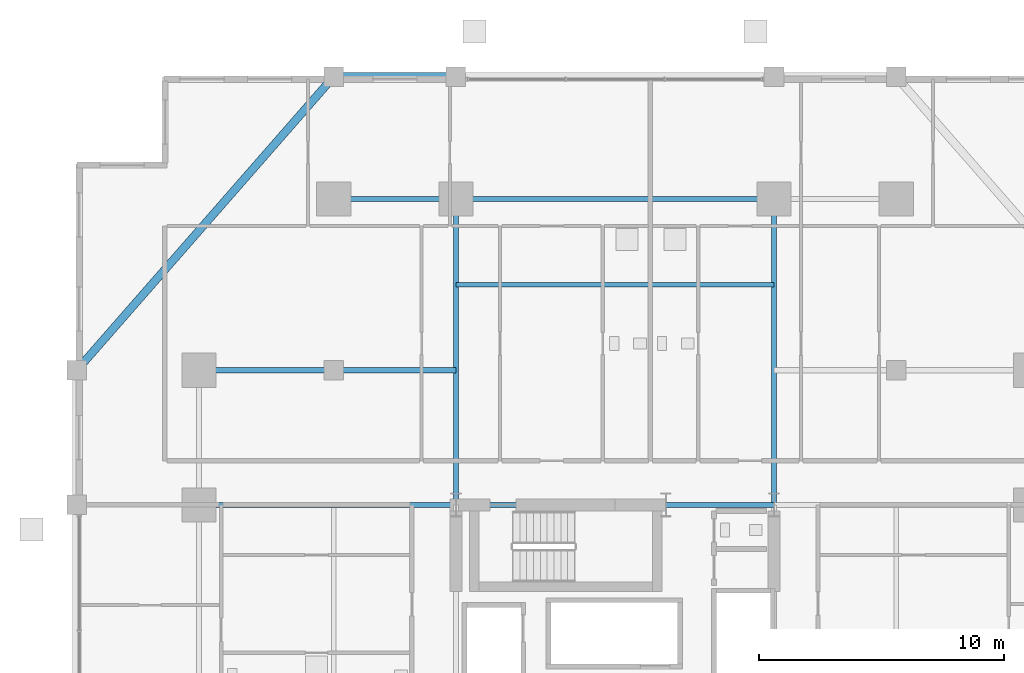
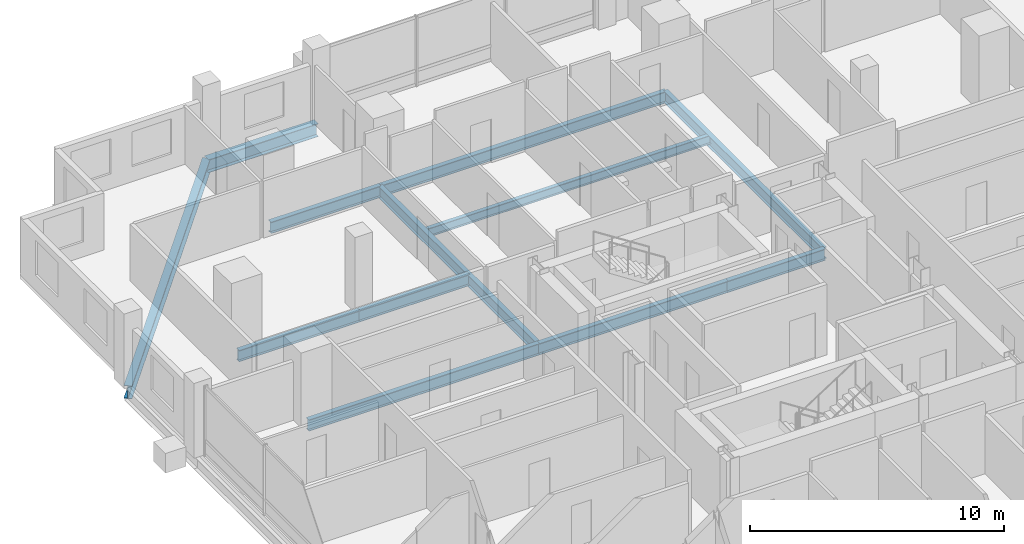
# One storey, part 12 of 24: 12 beams.
"""IFC4 building model written with IfcOpenShell, lengths in metres."""

from ifc_helpers import new_model, si_unit, direction, frame, origin, origin_2d, place, context, subcontext, project, spatial, i_section, extrude, material, material_profile, profile_set, type_object, element, save


model = new_model("IFC4")

# Units and contexts
model_context = context("Model", 3, precision=1e-05, world=origin(), true_north=direction((0.0, 1.0)))
body_context = subcontext(model_context, "Body", "Model", "MODEL_VIEW")
ifc_project = project(units=[si_unit("LENGTHUNIT", "METRE"), si_unit("AREAUNIT", "SQUARE_METRE"), si_unit("VOLUMEUNIT", "CUBIC_METRE"), si_unit("PLANEANGLEUNIT", "RADIAN"), si_unit("MASSUNIT", "GRAM", prefix="KILO")], contexts=[model_context])

# Site, building, storey
site_placement = place(None, origin())
site = spatial("IfcSite", under=ifc_project, at=site_placement, CompositionType="ELEMENT")
building_placement = place(site_placement, origin())
building = spatial("IfcBuilding", under=site, at=building_placement, Name="Barlavira Tower and Art Museum", CompositionType="ELEMENT")
storey_placement = place(building_placement, frame((0.0, 0.0, 32.39990234375)))
storey = spatial("IfcBuildingStorey", under=building, at=storey_placement, Name="L06", CompositionType="ELEMENT", Elevation=32.39990234375)

# Beams
ifc_material = material(Name="Steel S355", Category="steel")
ifc_material_profile_1 = material_profile(ifc_material, i_section(OverallWidth=0.327880859375, OverallDepth=0.62890625, WebThickness=0.013916015625, FlangeThickness=0.021484375, at=origin_2d()), Name="W610x174.0")
ifc_profile_set_1 = profile_set([ifc_material_profile_1], Name="Steel S355")
beam_type_1 = type_object("IfcBeamType", Name="Perimeter Spandrel Edge Beam W610x174 Steel S355", PredefinedType="SPANDREL", material=ifc_profile_set_1)
beam_1_placement = place(storey_placement, frame((-11.5, 25.0, -0.534423828125), z_axis=(1.0, 0.0, 0.0), x_axis=(0.0, 1.0, 0.0)))
element("IfcBeam", 1, at=beam_1_placement, inside=storey, type_object=beam_type_1, Name="L06 Spandrel 11", PredefinedType="SPANDREL", context=body_context, shape_type="SweptSolid", body=[
    extrude(i_section(OverallWidth=0.327880859375, OverallDepth=0.62890625, WebThickness=0.013916015625, FlangeThickness=0.021484375, at=origin_2d()), origin(), (0.0, 0.0, 1.0), 5.0),
])
beam_2_placement = place(storey_placement, frame((-11.5, 25.0, -0.534423828125), z_axis=(-0.658504607869, -0.752576694707, 0.0), x_axis=(0.752576694707, -0.658504607869, 0.0)))
element("IfcBeam", 2, at=beam_2_placement, inside=storey, type_object=beam_type_1, Name="L06 Spandrel 12", PredefinedType="SPANDREL", context=body_context, shape_type="SweptSolid", body=[
    extrude(i_section(OverallWidth=0.327880859375, OverallDepth=0.62890625, WebThickness=0.013916015625, FlangeThickness=0.021484375, at=origin_2d()), origin(), (0.0, 0.0, 1.0), 15.9453125),
])
ifc_material_profile_2 = material_profile(ifc_material, i_section(OverallWidth=0.180908203125, OverallDepth=0.4169921875, WebThickness=0.010986328125, FlangeThickness=0.018310546875, at=origin_2d()), Name="W410x85.0")
ifc_profile_set_2 = profile_set([ifc_material_profile_2], Name="Steel S355")
beam_type_2 = type_object("IfcBeamType", Name="Zone 1 Composite Floor Joist W410x85 Steel S355", PredefinedType="JOIST", material=ifc_profile_set_2)
beam_3_placement = place(storey_placement, frame((-6.5, 16.5, -0.428466796875), z_axis=(1.0, 0.0, 0.0), x_axis=(0.0, 1.0, 0.0)))
element("IfcBeam", 3, at=beam_3_placement, inside=storey, type_object=beam_type_2, Name="L06 Joist C2", PredefinedType="JOIST", context=body_context, shape_type="SweptSolid", body=[
    extrude(i_section(OverallWidth=0.180908203125, OverallDepth=0.4169921875, WebThickness=0.010986328125, FlangeThickness=0.018310546875, at=origin_2d()), origin(), (0.0, 0.0, 1.0), 13.0),
])
ifc_material_profile_3 = material_profile(ifc_material, i_section(OverallWidth=0.214111328125, OverallDepth=0.549072265625, WebThickness=0.0146484375, FlangeThickness=0.023681640625, at=origin_2d()), Name="W530x138.0")
ifc_profile_set_3 = profile_set([ifc_material_profile_3], Name="Steel S355")
beam_type_3 = type_object("IfcBeamType", Name="Zone 1 Primary Floor Girder W530x138 Steel S355", PredefinedType="BEAM", material=ifc_profile_set_3)
beam_4_placement = place(storey_placement, frame((-6.5, 7.5, -0.494384765625), z_axis=(1.0, 0.0, 0.0), x_axis=(0.0, 1.0, 0.0)))
element("IfcBeam", 4, at=beam_4_placement, inside=storey, type_object=beam_type_3, Name="L06 Girder C-N1", PredefinedType="BEAM", context=body_context, shape_type="SweptSolid", body=[
    extrude(i_section(OverallWidth=0.214111328125, OverallDepth=0.549072265625, WebThickness=0.0146484375, FlangeThickness=0.023681640625, at=origin_2d()), origin(), (0.0, 0.0, 1.0), 8.580078125),
])
beam_5_placement = place(storey_placement, frame((2.080078125, 7.5, -0.494384765625), z_axis=(1.0, 0.0, 0.0), x_axis=(0.0, 1.0, 0.0)))
element("IfcBeam", 5, at=beam_5_placement, inside=storey, type_object=beam_type_3, Name="L06 Girder C-N2", PredefinedType="BEAM", context=body_context, shape_type="SweptSolid", body=[
    extrude(i_section(OverallWidth=0.214111328125, OverallDepth=0.549072265625, WebThickness=0.0146484375, FlangeThickness=0.023681640625, at=origin_2d()), origin(), (0.0, 0.0, 1.0), 4.419921875),
])
beam_6_placement = place(storey_placement, frame((-11.5, 20.0, -0.494384765625), z_axis=(1.0, 0.0, 0.0), x_axis=(0.0, 1.0, 0.0)))
element("IfcBeam", 6, at=beam_6_placement, inside=storey, type_object=beam_type_3, Name="L06 Girder M-N1", PredefinedType="BEAM", context=body_context, shape_type="SweptSolid", body=[
    extrude(i_section(OverallWidth=0.214111328125, OverallDepth=0.549072265625, WebThickness=0.0146484375, FlangeThickness=0.023681640625, at=origin_2d()), origin(), (0.0, 0.0, 1.0), 5.0),
])
beam_7_placement = place(storey_placement, frame((-6.5, 20.0, -0.494384765625), z_axis=(1.0, 0.0, 0.0), x_axis=(0.0, 1.0, 0.0)))
element("IfcBeam", 7, at=beam_7_placement, inside=storey, type_object=beam_type_3, Name="L06 Girder M-N2", PredefinedType="BEAM", context=body_context, shape_type="SweptSolid", body=[
    extrude(i_section(OverallWidth=0.214111328125, OverallDepth=0.549072265625, WebThickness=0.0146484375, FlangeThickness=0.023681640625, at=origin_2d()), origin(), (0.0, 0.0, 1.0), 13.0),
])
for number, where, z_axis, x_axis, name in (
    (8, (-6.5, 7.5, -0.494384765625), (0.0, 1.0, 0.0), (-1.0, 0.0, 0.0), "L06 Girder R-N1"),
    (9, (6.5, 7.5, -0.494384765625), (0.0, 1.0, 0.0), (-1.0, 0.0, 0.0), "L06 Girder R-N2"),
):
    element("IfcBeam", number, at=place(storey_placement, frame(where, z_axis=z_axis, x_axis=x_axis)), inside=storey, type_object=beam_type_3, Name=name, PredefinedType="BEAM", context=body_context, shape_type="SweptSolid", body=[
        extrude(i_section(OverallWidth=0.214111328125, OverallDepth=0.549072265625, WebThickness=0.0146484375, FlangeThickness=0.023681640625, at=origin_2d()), origin(), (0.0, 0.0, 1.0), 12.5),
    ])
beam_8_placement = place(storey_placement, frame((-17.0, 7.5, -0.494384765625), z_axis=(1.0, 0.0, 0.0), x_axis=(0.0, 1.0, 0.0)))
element("IfcBeam", 10, at=beam_8_placement, inside=storey, type_object=beam_type_3, Name="L06 Girder R-W2", PredefinedType="BEAM", context=body_context, shape_type="SweptSolid", body=[
    extrude(i_section(OverallWidth=0.214111328125, OverallDepth=0.549072265625, WebThickness=0.0146484375, FlangeThickness=0.023681640625, at=origin_2d()), origin(), (0.0, 0.0, 1.0), 10.5),
])
beam_9_placement = place(storey_placement, frame((-17.0, 13.0, -0.494384765625), z_axis=(1.0, 0.0, 0.0), x_axis=(0.0, 1.0, 0.0)))
element("IfcBeam", 11, at=beam_9_placement, inside=storey, type_object=beam_type_3, Name="L06 Girder I-N1", PredefinedType="BEAM", context=body_context, shape_type="SweptSolid", body=[
    extrude(i_section(OverallWidth=0.214111328125, OverallDepth=0.549072265625, WebThickness=0.0146484375, FlangeThickness=0.023681640625, at=origin_2d()), origin(), (0.0, 0.0, 1.0), 5.5),
])
beam_10_placement = place(storey_placement, frame((-11.5, 13.0, -0.494384765625), z_axis=(1.0, 0.0, 0.0), x_axis=(0.0, 1.0, 0.0)))
element("IfcBeam", 12, at=beam_10_placement, inside=storey, type_object=beam_type_3, Name="L06 Girder I-N2", PredefinedType="BEAM", context=body_context, shape_type="SweptSolid", body=[
    extrude(i_section(OverallWidth=0.214111328125, OverallDepth=0.549072265625, WebThickness=0.0146484375, FlangeThickness=0.023681640625, at=origin_2d()), origin(), (0.0, 0.0, 1.0), 5.0),
])

save(model, "model.ifc")
